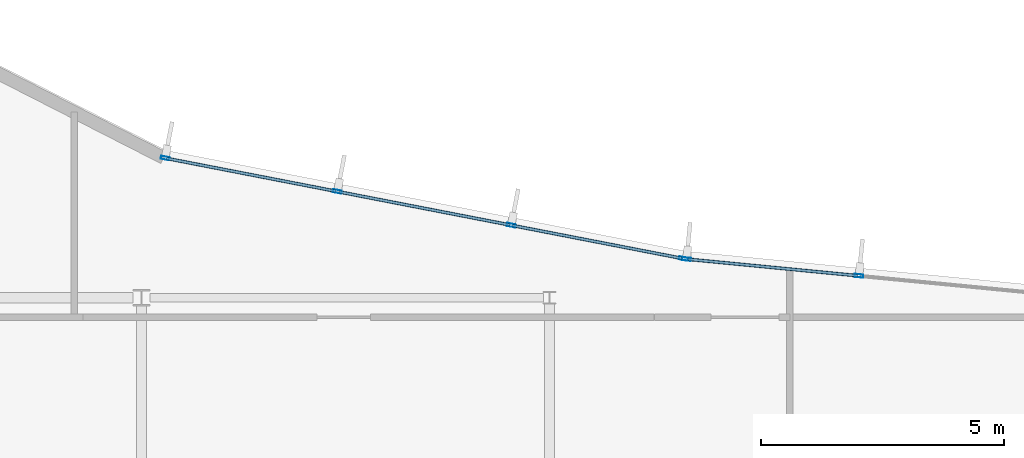
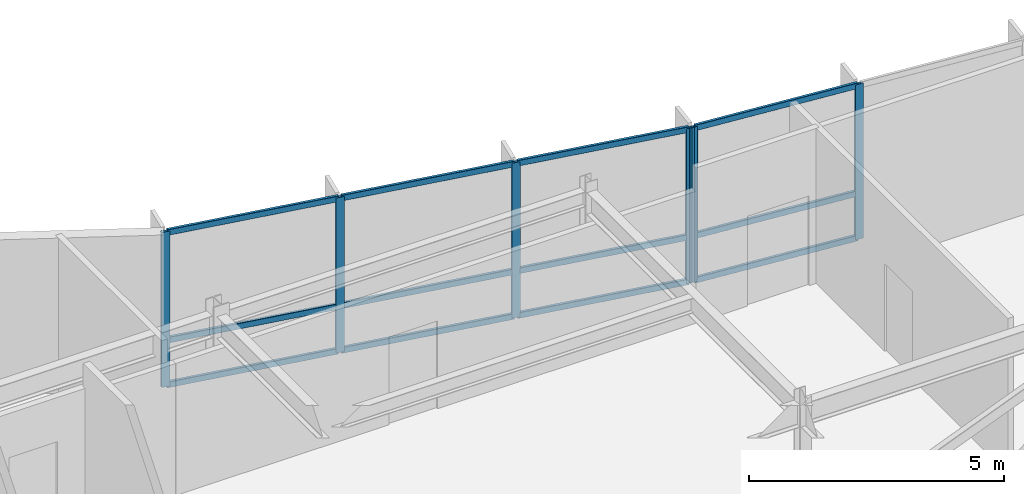
# One storey, part 6 of 16: 18 members, 2 elements without a shape of their own.
"""IFC4 building model written with IfcOpenShell, lengths in metres."""

from ifc_helpers import new_model, si_unit, direction, frame, origin, origin_2d, place, context, subcontext, project, spatial, hollow_rectangle, extrude, material, layer, layer_set, material_profile, profile_set, type_object, element, aggregate, save


model = new_model("IFC4")

# Units and contexts
model_context = context("Model", 3, precision=1e-05, world=origin(), true_north=direction((0.0, 1.0)))
body_context = subcontext(model_context, "Body", "Model", "MODEL_VIEW")
ifc_project = project(units=[si_unit("LENGTHUNIT", "METRE"), si_unit("AREAUNIT", "SQUARE_METRE"), si_unit("VOLUMEUNIT", "CUBIC_METRE"), si_unit("PLANEANGLEUNIT", "RADIAN"), si_unit("MASSUNIT", "GRAM", prefix="KILO")], contexts=[model_context])

# Site, building, storey
site_placement = place(None, origin())
site = spatial("IfcSite", under=ifc_project, at=site_placement, CompositionType="ELEMENT")
building_placement = place(site_placement, origin())
building = spatial("IfcBuilding", under=site, at=building_placement, Name="Varnakote Quay Hospital", CompositionType="ELEMENT")
storey_placement = place(building_placement, frame((0.0, 0.0, 272.35009765625)))
storey = spatial("IfcBuildingStorey", under=building, at=storey_placement, Name="L67", CompositionType="ELEMENT", Elevation=272.35009765625)

# Curtain wall, members
ifc_material_1 = material(Name="Anodised aluminium 6063-T6 Bronze", Category="aluminium")
ifc_layer = layer(ifc_material_1, 0.235107421875)
ifc_layer_set = layer_set([ifc_layer], Name="Anodised aluminium 6063-T6 Bronze")
curtain_wall_type = type_object("IfcCurtainWallType", Name="CW-SYS-5", PredefinedType="NOTDEFINED", material=ifc_layer_set)
curtain_wall_1_placement = place(storey_placement, origin())
curtain_wall_1 = element("IfcCurtainWall", 1, at=curtain_wall_1_placement, inside=storey, type_object=curtain_wall_type, Name="L67 Unitised Bronze Curtain Wall 1", PredefinedType="NOTDEFINED")
ifc_material_2 = material(Name="Anodised aluminium 6063-T6 Bronze", Category="aluminium")
ifc_material_profile_1 = material_profile(ifc_material_2, hollow_rectangle(XDim=0.06494140625, YDim=0.179931640625, WallThickness=0.00390625, InnerFilletRadius=0.00390625, OuterFilletRadius=0.008056640625, at=origin_2d()), Name="CW-MULL-180x65")
ifc_profile_set_1 = profile_set([ifc_material_profile_1], Name="Anodised aluminium 6063-T6 Bronze")
member_type_1 = type_object("IfcMemberType", Name="CW-MULL-180x65", PredefinedType="MULLION", material=ifc_profile_set_1)
member_1_placement = place(storey_placement, frame((31.575439453125, 29.25, 0.0), z_axis=(0.0, 0.0, 1.0), x_axis=(-0.096568970683, -0.995326295192, 0.0)))
member_1 = element("IfcMember", 2, at=member_1_placement, type_object=member_type_1, Name="-5-L67-1 mullion 3", PredefinedType="MULLION", context=body_context, shape_type="SweptSolid", body=[
    extrude(hollow_rectangle(XDim=0.06494140625, YDim=0.179931640625, WallThickness=0.00390625, InnerFilletRadius=0.00390625, OuterFilletRadius=0.008056640625, at=origin_2d()), origin(), (0.0, 0.0, 1.0), 3.7099609375),
])
member_2_placement = place(storey_placement, frame((28.025390625, 29.594482421875, 0.0), z_axis=(0.0, 0.0, 1.0), x_axis=(-0.096568970683, -0.995326295192, 0.0)))
member_2 = element("IfcMember", 3, at=member_2_placement, type_object=member_type_1, Name="-5-L67-1 mullion 4", PredefinedType="MULLION", context=body_context, shape_type="SweptSolid", body=[
    extrude(hollow_rectangle(XDim=0.06494140625, YDim=0.179931640625, WallThickness=0.00390625, InnerFilletRadius=0.00390625, OuterFilletRadius=0.008056640625, at=origin_2d()), origin(), (0.0, 0.0, 1.0), 3.7099609375),
])

curtain_wall_2_placement = place(storey_placement, origin())
curtain_wall_2 = element("IfcCurtainWall", 4, at=curtain_wall_2_placement, inside=storey, type_object=curtain_wall_type, Name="L67 Unitised Bronze Curtain Wall 2", PredefinedType="NOTDEFINED")
member_3_placement = place(storey_placement, frame((27.961181640625, 29.603759765625, 0.0), z_axis=(0.0, 0.0, 1.0), x_axis=(-0.190434218676, -0.981699958418, 0.0)))
member_3 = element("IfcMember", 5, at=member_3_placement, type_object=member_type_1, Name="-5-L67-2 mullion 1", PredefinedType="MULLION", context=body_context, shape_type="SweptSolid", body=[
    extrude(hollow_rectangle(XDim=0.06494140625, YDim=0.179931640625, WallThickness=0.00390625, InnerFilletRadius=0.00390625, OuterFilletRadius=0.008056640625, at=origin_2d()), origin(), (0.0, 0.0, 1.0), 3.7099609375),
])
member_4_placement = place(storey_placement, frame((24.412353515625, 30.2919921875, 0.0), z_axis=(0.0, 0.0, 1.0), x_axis=(-0.190434218676, -0.981699958418, 0.0)))
member_4 = element("IfcMember", 6, at=member_4_placement, type_object=member_type_1, Name="-5-L67-2 mullion 2", PredefinedType="MULLION", context=body_context, shape_type="SweptSolid", body=[
    extrude(hollow_rectangle(XDim=0.06494140625, YDim=0.179931640625, WallThickness=0.00390625, InnerFilletRadius=0.00390625, OuterFilletRadius=0.008056640625, at=origin_2d()), origin(), (0.0, 0.0, 1.0), 3.7099609375),
])
member_5_placement = place(storey_placement, frame((20.83203125, 30.986572265625, 0.0), z_axis=(0.0, 0.0, 1.0), x_axis=(-0.190434218676, -0.981699958418, 0.0)))
member_5 = element("IfcMember", 7, at=member_5_placement, type_object=member_type_1, Name="-5-L67-2 mullion 3", PredefinedType="MULLION", context=body_context, shape_type="SweptSolid", body=[
    extrude(hollow_rectangle(XDim=0.06494140625, YDim=0.179931640625, WallThickness=0.00390625, InnerFilletRadius=0.00390625, OuterFilletRadius=0.008056640625, at=origin_2d()), origin(), (0.0, 0.0, 1.0), 3.7099609375),
])
member_6_placement = place(storey_placement, frame((17.283203125, 31.675048828125, 0.0), z_axis=(0.0, 0.0, 1.0), x_axis=(-0.190434218676, -0.981699958418, 0.0)))
member_6 = element("IfcMember", 8, at=member_6_placement, type_object=member_type_1, Name="-5-L67-2 mullion 4", PredefinedType="MULLION", context=body_context, shape_type="SweptSolid", body=[
    extrude(hollow_rectangle(XDim=0.06494140625, YDim=0.179931640625, WallThickness=0.00390625, InnerFilletRadius=0.00390625, OuterFilletRadius=0.008056640625, at=origin_2d()), origin(), (0.0, 0.0, 1.0), 3.7099609375),
])

# Member
ifc_material_3 = material(Name="Anodised aluminium 6063-T6 Bronze", Category="aluminium")
ifc_material_profile_2 = material_profile(ifc_material_3, hollow_rectangle(XDim=0.06494140625, YDim=0.139892578125, WallThickness=0.00390625, InnerFilletRadius=0.00390625, OuterFilletRadius=0.007568359375, at=origin_2d()), Name="CW-TRAN-140x65")
ifc_profile_set_2 = profile_set([ifc_material_profile_2], Name="Anodised aluminium 6063-T6 Bronze")
member_type_2 = type_object("IfcMemberType", Name="CW-TRAN-140x65", PredefinedType="USERDEFINED", material=ifc_profile_set_2)
member_7_placement = place(storey_placement, frame((31.54296875, 29.253173828125, 0.032470703125), z_axis=(-0.995326912616, 0.096562606751, 0.0), x_axis=(-0.096562606751, -0.995326912616, 0.0)))
member_7 = element("IfcMember", 9, at=member_7_placement, type_object=member_type_2, Name="-5-L67-1 transom 3.1", ObjectType="TRANSOM", PredefinedType="USERDEFINED", context=body_context, shape_type="SweptSolid", body=[
    extrude(hollow_rectangle(XDim=0.06494140625, YDim=0.139892578125, WallThickness=0.00390625, InnerFilletRadius=0.00390625, OuterFilletRadius=0.007568359375, at=origin_2d()), origin(), (0.0, 0.0, 1.0), 3.501708984375),
])

member_8_placement = place(storey_placement, frame((31.54296875, 29.253173828125, 1.099853515625), z_axis=(-0.995326912616, 0.096562606751, 0.0), x_axis=(-0.096562606751, -0.995326912616, 0.0)))
member_8 = element("IfcMember", 10, at=member_8_placement, type_object=member_type_2, Name="-5-L67-1 transom 3.2", ObjectType="TRANSOM", PredefinedType="USERDEFINED", context=body_context, shape_type="SweptSolid", body=[
    extrude(hollow_rectangle(XDim=0.06494140625, YDim=0.139892578125, WallThickness=0.00390625, InnerFilletRadius=0.00390625, OuterFilletRadius=0.007568359375, at=origin_2d()), origin(), (0.0, 0.0, 1.0), 3.501708984375),
])

member_9_placement = place(storey_placement, frame((31.54296875, 29.253173828125, 3.677490234375), z_axis=(-0.995326912616, 0.096562606751, 0.0), x_axis=(-0.096562606751, -0.995326912616, 0.0)))
member_9 = element("IfcMember", 11, at=member_9_placement, type_object=member_type_2, Name="-5-L67-1 transom 3.3", ObjectType="TRANSOM", PredefinedType="USERDEFINED", context=body_context, shape_type="SweptSolid", body=[
    extrude(hollow_rectangle(XDim=0.06494140625, YDim=0.139892578125, WallThickness=0.00390625, InnerFilletRadius=0.00390625, OuterFilletRadius=0.007568359375, at=origin_2d()), origin(), (0.0, 0.0, 1.0), 3.501708984375),
])

aggregate(curtain_wall_1, [member_1, member_2, member_7, member_8, member_9])

member_10_placement = place(storey_placement, frame((27.92919921875, 29.60986328125, 0.032470703125), z_axis=(-0.98169905277, 0.190438887286, 0.0), x_axis=(-0.190438887286, -0.98169905277, 0.0)))
member_10 = element("IfcMember", 12, at=member_10_placement, type_object=member_type_2, Name="-5-L67-2 transom 1.1", ObjectType="TRANSOM", PredefinedType="USERDEFINED", context=body_context, shape_type="SweptSolid", body=[
    extrude(hollow_rectangle(XDim=0.06494140625, YDim=0.139892578125, WallThickness=0.00390625, InnerFilletRadius=0.00390625, OuterFilletRadius=0.007568359375, at=origin_2d()), origin(), (0.0, 0.0, 1.0), 3.5498046875),
])

member_11_placement = place(storey_placement, frame((27.92919921875, 29.60986328125, 1.099853515625), z_axis=(-0.98169905277, 0.190438887286, 0.0), x_axis=(-0.190438887286, -0.98169905277, 0.0)))
member_11 = element("IfcMember", 13, at=member_11_placement, type_object=member_type_2, Name="-5-L67-2 transom 1.2", ObjectType="TRANSOM", PredefinedType="USERDEFINED", context=body_context, shape_type="SweptSolid", body=[
    extrude(hollow_rectangle(XDim=0.06494140625, YDim=0.139892578125, WallThickness=0.00390625, InnerFilletRadius=0.00390625, OuterFilletRadius=0.007568359375, at=origin_2d()), origin(), (0.0, 0.0, 1.0), 3.5498046875),
])

member_12_placement = place(storey_placement, frame((27.92919921875, 29.60986328125, 3.677490234375), z_axis=(-0.98169905277, 0.190438887286, 0.0), x_axis=(-0.190438887286, -0.98169905277, 0.0)))
member_12 = element("IfcMember", 14, at=member_12_placement, type_object=member_type_2, Name="-5-L67-2 transom 1.3", ObjectType="TRANSOM", PredefinedType="USERDEFINED", context=body_context, shape_type="SweptSolid", body=[
    extrude(hollow_rectangle(XDim=0.06494140625, YDim=0.139892578125, WallThickness=0.00390625, InnerFilletRadius=0.00390625, OuterFilletRadius=0.007568359375, at=origin_2d()), origin(), (0.0, 0.0, 1.0), 3.5498046875),
])

member_13_placement = place(storey_placement, frame((24.380615234375, 30.29833984375, 0.032470703125), z_axis=(-0.981704308904, 0.190411790286, 0.0), x_axis=(-0.190411790286, -0.981704308904, 0.0)))
member_13 = element("IfcMember", 15, at=member_13_placement, type_object=member_type_2, Name="-5-L67-2 transom 2.1", ObjectType="TRANSOM", PredefinedType="USERDEFINED", context=body_context, shape_type="SweptSolid", body=[
    extrude(hollow_rectangle(XDim=0.06494140625, YDim=0.139892578125, WallThickness=0.00390625, InnerFilletRadius=0.00390625, OuterFilletRadius=0.007568359375, at=origin_2d()), origin(), (0.0, 0.0, 1.0), 3.582275390625),
])

member_14_placement = place(storey_placement, frame((24.380615234375, 30.29833984375, 1.099853515625), z_axis=(-0.981704308904, 0.190411790286, 0.0), x_axis=(-0.190411790286, -0.981704308904, 0.0)))
member_14 = element("IfcMember", 16, at=member_14_placement, type_object=member_type_2, Name="-5-L67-2 transom 2.2", ObjectType="TRANSOM", PredefinedType="USERDEFINED", context=body_context, shape_type="SweptSolid", body=[
    extrude(hollow_rectangle(XDim=0.06494140625, YDim=0.139892578125, WallThickness=0.00390625, InnerFilletRadius=0.00390625, OuterFilletRadius=0.007568359375, at=origin_2d()), origin(), (0.0, 0.0, 1.0), 3.582275390625),
])

member_15_placement = place(storey_placement, frame((24.380615234375, 30.29833984375, 3.677490234375), z_axis=(-0.981704308904, 0.190411790286, 0.0), x_axis=(-0.190411790286, -0.981704308904, 0.0)))
member_15 = element("IfcMember", 17, at=member_15_placement, type_object=member_type_2, Name="-5-L67-2 transom 2.3", ObjectType="TRANSOM", PredefinedType="USERDEFINED", context=body_context, shape_type="SweptSolid", body=[
    extrude(hollow_rectangle(XDim=0.06494140625, YDim=0.139892578125, WallThickness=0.00390625, InnerFilletRadius=0.00390625, OuterFilletRadius=0.007568359375, at=origin_2d()), origin(), (0.0, 0.0, 1.0), 3.582275390625),
])

member_16_placement = place(storey_placement, frame((20.800048828125, 30.992919921875, 0.032470703125), z_axis=(-0.981711908501, 0.190372604927, 0.0), x_axis=(-0.190372604927, -0.981711908501, 0.0)))
member_16 = element("IfcMember", 18, at=member_16_placement, type_object=member_type_2, Name="-5-L67-2 transom 3.1", ObjectType="TRANSOM", PredefinedType="USERDEFINED", context=body_context, shape_type="SweptSolid", body=[
    extrude(hollow_rectangle(XDim=0.06494140625, YDim=0.139892578125, WallThickness=0.00390625, InnerFilletRadius=0.00390625, OuterFilletRadius=0.007568359375, at=origin_2d()), origin(), (0.0, 0.0, 1.0), 3.5498046875),
])

member_17_placement = place(storey_placement, frame((20.800048828125, 30.992919921875, 1.099853515625), z_axis=(-0.981711908501, 0.190372604927, 0.0), x_axis=(-0.190372604927, -0.981711908501, 0.0)))
member_17 = element("IfcMember", 19, at=member_17_placement, type_object=member_type_2, Name="-5-L67-2 transom 3.2", ObjectType="TRANSOM", PredefinedType="USERDEFINED", context=body_context, shape_type="SweptSolid", body=[
    extrude(hollow_rectangle(XDim=0.06494140625, YDim=0.139892578125, WallThickness=0.00390625, InnerFilletRadius=0.00390625, OuterFilletRadius=0.007568359375, at=origin_2d()), origin(), (0.0, 0.0, 1.0), 3.5498046875),
])

member_18_placement = place(storey_placement, frame((20.800048828125, 30.992919921875, 3.677490234375), z_axis=(-0.981711908501, 0.190372604927, 0.0), x_axis=(-0.190372604927, -0.981711908501, 0.0)))
member_18 = element("IfcMember", 20, at=member_18_placement, type_object=member_type_2, Name="-5-L67-2 transom 3.3", ObjectType="TRANSOM", PredefinedType="USERDEFINED", context=body_context, shape_type="SweptSolid", body=[
    extrude(hollow_rectangle(XDim=0.06494140625, YDim=0.139892578125, WallThickness=0.00390625, InnerFilletRadius=0.00390625, OuterFilletRadius=0.007568359375, at=origin_2d()), origin(), (0.0, 0.0, 1.0), 3.5498046875),
])

aggregate(curtain_wall_2, [member_3, member_4, member_5, member_6, member_10, member_11, member_12, member_13, member_14, member_15, member_16, member_17, member_18])

save(model, "model.ifc")
